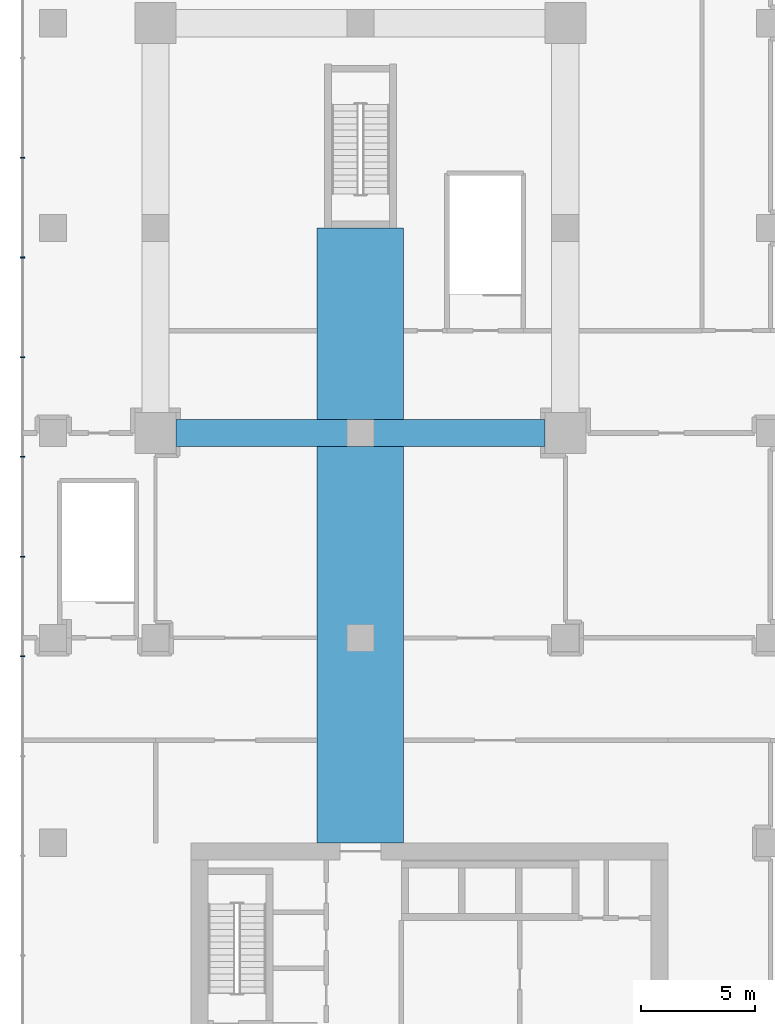
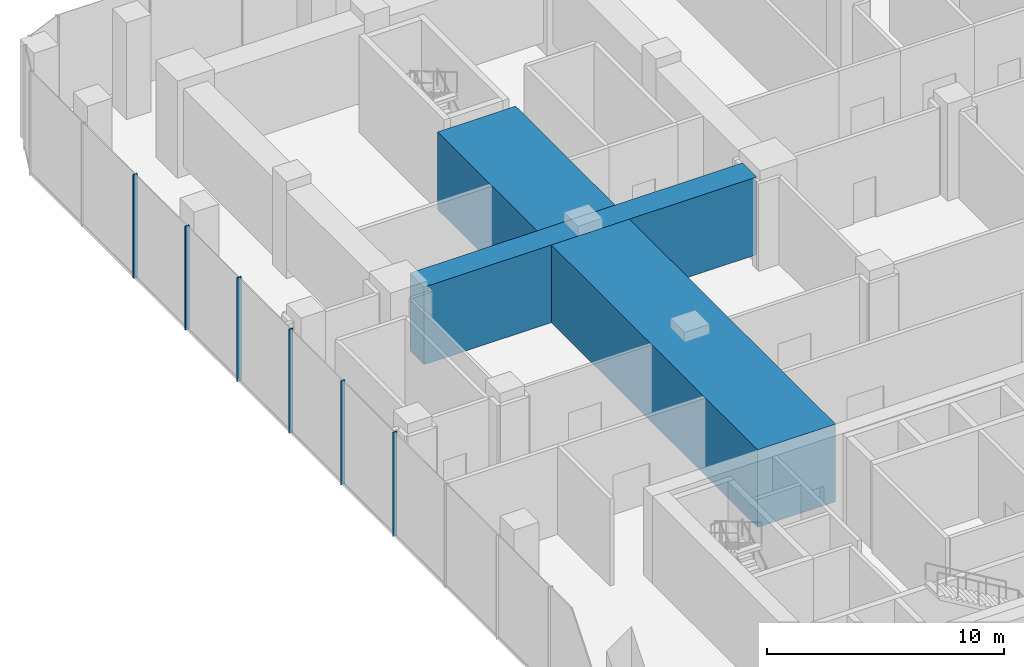
# One storey, part 10 of 36: 6 members, 3 beams, 1 element without a shape of its own.
"""IFC4 building model written with IfcOpenShell, lengths in metres."""

from ifc_helpers import new_model, si_unit, direction, frame, origin, origin_2d, place, context, subcontext, project, spatial, rectangle, extrude, material, layer, layer_set, material_profile, profile_set, type_object, element, aggregate, save


model = new_model("IFC4")

# Units and contexts
model_context = context("Model", 3, precision=1e-05, world=origin(), true_north=direction((0.0, 1.0)))
body_context = subcontext(model_context, "Body", "Model", "MODEL_VIEW")
ifc_project = project(units=[si_unit("LENGTHUNIT", "METRE"), si_unit("AREAUNIT", "SQUARE_METRE"), si_unit("VOLUMEUNIT", "CUBIC_METRE"), si_unit("PLANEANGLEUNIT", "RADIAN"), si_unit("MASSUNIT", "GRAM", prefix="KILO")], contexts=[model_context])

# Site, building, storey
site_placement = place(None, origin())
site = spatial("IfcSite", under=ifc_project, at=site_placement, CompositionType="ELEMENT")
building_placement = place(site_placement, origin())
building = spatial("IfcBuilding", under=site, at=building_placement, Name="Plateau Cross Towers", CompositionType="ELEMENT")
storey_placement = place(building_placement, frame((0.0, 0.0, 21.800048828125)))
storey = spatial("IfcBuildingStorey", under=building, at=storey_placement, Name="L04", CompositionType="ELEMENT", Elevation=21.800048828125)

# Curtain wall, members
ifc_material_1 = material(Name="Dark low-iron laminated glass", Category="glass")
ifc_layer = layer(ifc_material_1, 0.300048828125)
ifc_layer_set = layer_set([ifc_layer], Name="Dark low-iron laminated glass")
curtain_wall_type = type_object("IfcCurtainWallType", Name="Curtain wall structural silicone CW-C", PredefinedType="NOTDEFINED", material=ifc_layer_set)
curtain_wall_placement = place(storey_placement, origin())
curtain_wall = element("IfcCurtainWall", 1, at=curtain_wall_placement, inside=storey, type_object=curtain_wall_type, Name="ENV/P/L04/P-58_568", PredefinedType="NOTDEFINED")
ifc_material_2 = material(Name="Black anodised aluminium", Category="aluminium")
ifc_material_profile_1 = material_profile(ifc_material_2, rectangle(XDim=0.050048828125, YDim=0.199951171875, at=origin_2d()), Name="MULLION 50x200")
ifc_profile_set_1 = profile_set([ifc_material_profile_1], Name="Black anodised aluminium")
member_type = type_object("IfcMemberType", Name="Mullion 50x200 structural silicone", PredefinedType="MULLION", material=ifc_profile_set_1)
member_1_placement = place(storey_placement, frame((-5.85009765625, 48.090087890625, -0.35009765625), z_axis=(0.0, 0.0, 1.0), x_axis=(0.0, -1.0, 0.0)))
member_1 = element("IfcMember", 2, at=member_1_placement, type_object=member_type, Name="CW-C mullion 3", PredefinedType="MULLION", context=body_context, shape_type="SweptSolid", body=[
    extrude(rectangle(XDim=0.050048828125, YDim=0.199951171875, at=origin_2d()), origin(), (0.0, 0.0, 1.0), 5.35009765625),
])
member_2_placement = place(storey_placement, frame((-5.85009765625, 43.7099609375, -0.35009765625), z_axis=(0.0, 0.0, 1.0), x_axis=(0.0, -1.0, 0.0)))
member_2 = element("IfcMember", 3, at=member_2_placement, type_object=member_type, Name="CW-C mullion 4", PredefinedType="MULLION", context=body_context, shape_type="SweptSolid", body=[
    extrude(rectangle(XDim=0.050048828125, YDim=0.199951171875, at=origin_2d()), origin(), (0.0, 0.0, 1.0), 5.35009765625),
])
member_3_placement = place(storey_placement, frame((-5.85009765625, 39.330078125, -0.35009765625), z_axis=(0.0, 0.0, 1.0), x_axis=(0.0, -1.0, 0.0)))
member_3 = element("IfcMember", 4, at=member_3_placement, type_object=member_type, Name="CW-C mullion 5", PredefinedType="MULLION", context=body_context, shape_type="SweptSolid", body=[
    extrude(rectangle(XDim=0.050048828125, YDim=0.199951171875, at=origin_2d()), origin(), (0.0, 0.0, 1.0), 5.35009765625),
])
member_4_placement = place(storey_placement, frame((-5.85009765625, 34.949951171875, -0.35009765625), z_axis=(0.0, 0.0, 1.0), x_axis=(0.0, -1.0, 0.0)))
member_4 = element("IfcMember", 5, at=member_4_placement, type_object=member_type, Name="CW-C mullion 6", PredefinedType="MULLION", context=body_context, shape_type="SweptSolid", body=[
    extrude(rectangle(XDim=0.050048828125, YDim=0.199951171875, at=origin_2d()), origin(), (0.0, 0.0, 1.0), 5.35009765625),
])
member_5_placement = place(storey_placement, frame((-5.85009765625, 30.570068359375, -0.35009765625), z_axis=(0.0, 0.0, 1.0), x_axis=(0.0, -1.0, 0.0)))
member_5 = element("IfcMember", 6, at=member_5_placement, type_object=member_type, Name="CW-C mullion 7", PredefinedType="MULLION", context=body_context, shape_type="SweptSolid", body=[
    extrude(rectangle(XDim=0.050048828125, YDim=0.199951171875, at=origin_2d()), origin(), (0.0, 0.0, 1.0), 5.35009765625),
])
member_6_placement = place(storey_placement, frame((-5.85009765625, 26.18994140625, -0.35009765625), z_axis=(0.0, 0.0, 1.0), x_axis=(0.0, -1.0, 0.0)))
member_6 = element("IfcMember", 7, at=member_6_placement, type_object=member_type, Name="CW-C mullion 8", PredefinedType="MULLION", context=body_context, shape_type="SweptSolid", body=[
    extrude(rectangle(XDim=0.050048828125, YDim=0.199951171875, at=origin_2d()), origin(), (0.0, 0.0, 1.0), 5.35009765625),
])
aggregate(curtain_wall, [member_1, member_2, member_3, member_4, member_5, member_6])

# Beams
ifc_material_3 = material(Name="Concrete C60/75", Category="concrete")
ifc_material_profile_2 = material_profile(ifc_material_3, rectangle(XDim=1.199951171875, YDim=4.0, at=origin_2d()), Name="RC 1200x4000")
ifc_profile_set_2 = profile_set([ifc_material_profile_2], Name="Concrete C60/75")
beam_type_1 = type_object("IfcBeamType", Name="Transfer girder RC 1200x4000", PredefinedType="BEAM", material=ifc_profile_set_2)
beam_1_placement = place(storey_placement, frame((0.89990234375, 36.0, 2.5), z_axis=(1.0, 0.0, 0.0), x_axis=(0.0, 1.0, 0.0)))
element("IfcBeam", 8, at=beam_1_placement, inside=storey, type_object=beam_type_1, Name="TG-W-3", PredefinedType="BEAM", context=body_context, shape_type="SweptSolid", body=[
    extrude(rectangle(XDim=1.199951171875, YDim=4.0, at=origin_2d()), origin(), (0.0, 0.0, 1.0), 16.2001953125),
])
ifc_material_profile_3 = material_profile(ifc_material_3, rectangle(XDim=3.800048828125, YDim=4.0, at=origin_2d()), Name="RC 3800x4000")
ifc_profile_set_3 = profile_set([ifc_material_profile_3], Name="Concrete C60/75")
beam_type_2 = type_object("IfcBeamType", Name="Wall girder RC 3800x4000", PredefinedType="BEAM", material=ifc_profile_set_3)
beam_2_placement = place(storey_placement, frame((9.0, 18.0, 2.5), z_axis=(0.0, 1.0, 0.0), x_axis=(-1.0, 0.0, 0.0)))
element("IfcBeam", 9, at=beam_2_placement, inside=storey, type_object=beam_type_2, Name="WG-W-1", PredefinedType="BEAM", context=body_context, shape_type="SweptSolid", body=[
    extrude(rectangle(XDim=3.800048828125, YDim=4.0, at=origin_2d()), origin(), (0.0, 0.0, 1.0), 17.39990234375),
])
beam_3_placement = place(storey_placement, frame((9.0, 36.60009765625, 2.5), z_axis=(0.0, 1.0, 0.0), x_axis=(-1.0, 0.0, 0.0)))
element("IfcBeam", 10, at=beam_3_placement, inside=storey, type_object=beam_type_2, Name="WG-W-2", PredefinedType="BEAM", context=body_context, shape_type="SweptSolid", body=[
    extrude(rectangle(XDim=3.800048828125, YDim=4.0, at=origin_2d()), origin(), (0.0, 0.0, 1.0), 8.39990234375),
])

save(model, "model.ifc")
